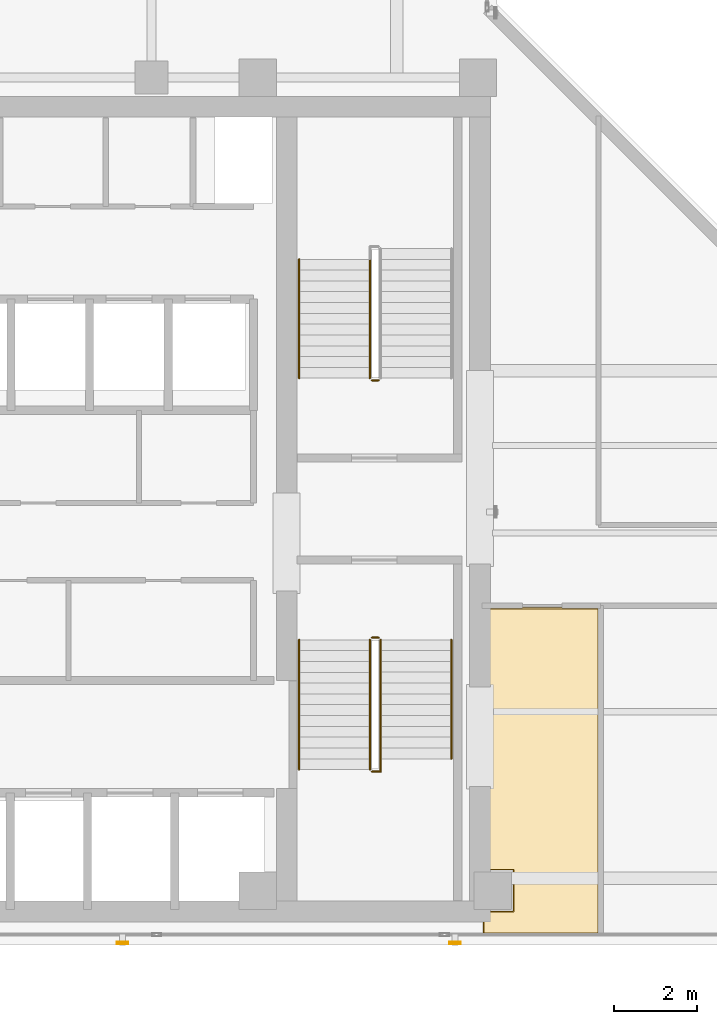
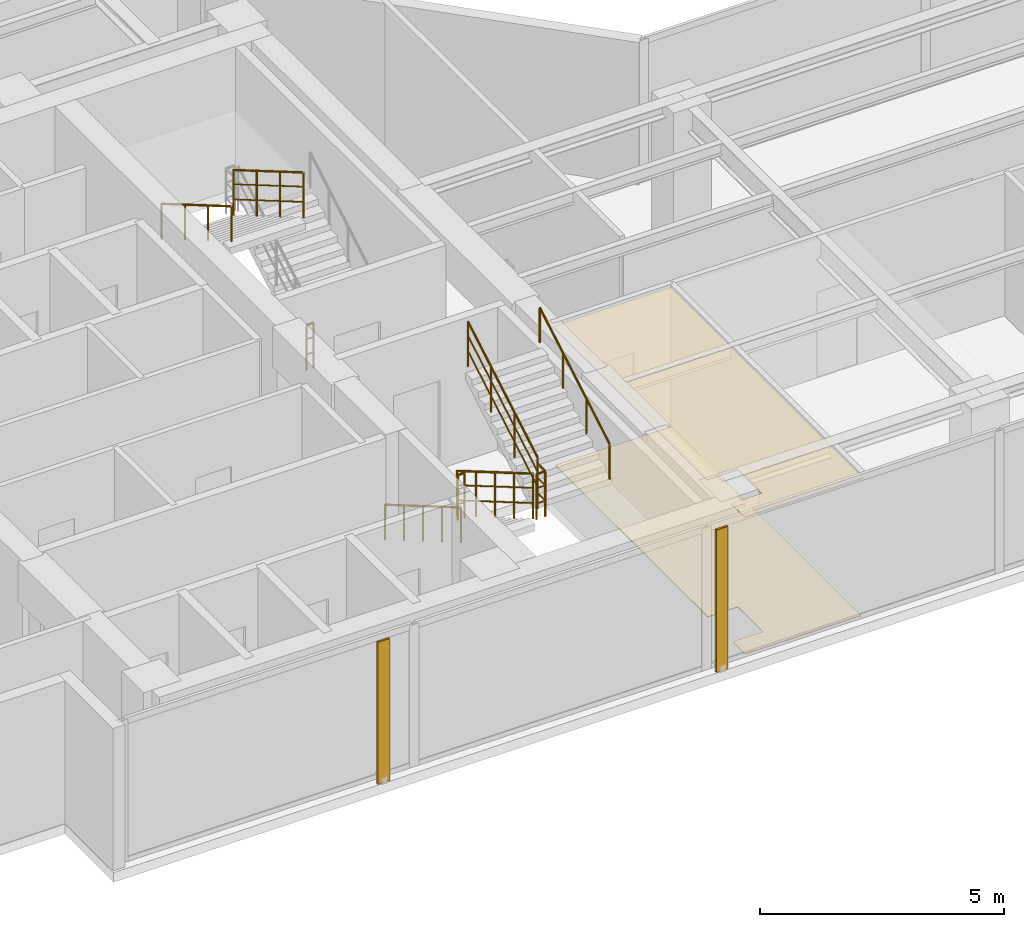
# One storey, part 20 of 24: 9 railings, 2 coverings, 2 shading devices.
"""IFC4 building model written with IfcOpenShell, lengths in metres."""

from ifc_helpers import new_model, si_unit, direction, frame, origin, origin_2d, place, context, subcontext, project, spatial, polyline, hollow_rectangle, circle, outline, extrude, material, layer, layer_set, material_profile, profile_set, type_object, element, save


model = new_model("IFC4")

# Units and contexts
model_context = context("Model", 3, precision=1e-05, world=origin(), true_north=direction((0.0, 1.0)))
body_context = subcontext(model_context, "Body", "Model", "MODEL_VIEW")
ifc_project = project(units=[si_unit("LENGTHUNIT", "METRE"), si_unit("AREAUNIT", "SQUARE_METRE"), si_unit("VOLUMEUNIT", "CUBIC_METRE"), si_unit("PLANEANGLEUNIT", "RADIAN"), si_unit("MASSUNIT", "GRAM", prefix="KILO")], contexts=[model_context])

# Site, building, storey
site_placement = place(None, origin())
site = spatial("IfcSite", under=ifc_project, at=site_placement, CompositionType="ELEMENT")
building_placement = place(site_placement, origin())
building = spatial("IfcBuilding", under=site, at=building_placement, Name="Kolvaren Waterfront Exchange", CompositionType="ELEMENT")
storey_placement = place(building_placement, frame((0.0, 0.0, 331.199951171875)))
storey = spatial("IfcBuildingStorey", under=building, at=storey_placement, Name="L85", CompositionType="ELEMENT", Elevation=331.199951171875)

# Covering
ifc_material_1 = material(Name="Mineral fibre acoustic ceiling tile")
ifc_layer_1 = layer(ifc_material_1, 0.02490234375, Name="Mineral fibre acoustic ceiling tile")
ifc_layer_set_1 = layer_set([ifc_layer_1], Name="Mineral fibre acoustic ceiling tile")
covering_type_1 = type_object("IfcCoveringType", Name="ARC-CEIL-ACOUSTIC-25", PredefinedType="CEILING", material=ifc_layer_set_1)
covering_1_placement = place(storey_placement, frame((0.0, 0.0, 3.445068359375)))
element("IfcCovering", 1, at=covering_1_placement, inside=storey, type_object=covering_type_1, Name="L85 acoustic suspended ceiling 2", PredefinedType="CEILING", context=body_context, shape_type="SweptSolid", body=[
    extrude(outline(polyline([(20.864990234375, 5.389892578125), (21.590087890625, 5.389892578125), (21.590087890625, 4.409912109375), (20.864990234375, 4.409912109375), (20.864990234375, 3.844970703125), (23.675048828125, 3.844970703125), (23.675048828125, 11.705078125), (20.864990234375, 11.705078125), (20.864990234375, 5.389892578125)])), origin(), (0.0, 0.0, 1.0), 0.02490234375),
])

# Shading devices
ifc_material_2 = material(Name="Anodised bronze aluminium 6063-T6", Category="aluminium")
ifc_material_profile = material_profile(ifc_material_2, hollow_rectangle(XDim=0.054931640625, YDim=0.280029296875, WallThickness=0.00439453125, at=origin_2d()), Name="BRZ-FIN-280x55x4.5")
ifc_profile_set = profile_set([ifc_material_profile], Name="Anodised bronze aluminium 6063-T6")
shading_device_type = type_object("IfcShadingDeviceType", Name="ARC-FIN-280", PredefinedType="USERDEFINED", material=ifc_profile_set)
for number, where, z_axis, x_axis, name in (
    (2, (12.199951171875, 3.639892578125, 0.0), (0.0, 0.0, 1.0), (0.0, -1.0, 0.0), "L85 anodised bronze solar shading fin FIN-L85-S1"),
    (3, (20.199951171875, 3.639892578125, 0.0), (0.0, 0.0, 1.0), (0.0, -1.0, 0.0), "L85 anodised bronze solar shading fin FIN-L85-S2"),
):
    element("IfcShadingDevice", number, at=place(storey_placement, frame(where, z_axis=z_axis, x_axis=x_axis)), inside=storey, type_object=shading_device_type, Name=name, ObjectType="SOLAR FIN", PredefinedType="USERDEFINED", context=body_context, shape_type="SweptSolid", body=[
        extrude(hollow_rectangle(XDim=0.054931640625, YDim=0.280029296875, WallThickness=0.00439453125, at=origin_2d()), origin(), (0.0, 0.0, 1.0), 3.56005859375),
    ])

# Covering
ifc_material_3 = material(Name="Slip-resistant porcelain tile")
ifc_layer_2 = layer(ifc_material_3, 0.014892578125, Name="Slip-resistant porcelain tile")
ifc_layer_set_2 = layer_set([ifc_layer_2], Name="Slip-resistant porcelain tile")
covering_type_2 = type_object("IfcCoveringType", Name="ARC-FLR-PORC-15", PredefinedType="FLOORING", material=ifc_layer_set_2)
covering_2_placement = place(storey_placement, origin())
element("IfcCovering", 4, at=covering_2_placement, inside=storey, type_object=covering_type_2, Name="L85 floor finish 2", PredefinedType="FLOORING", context=body_context, shape_type="SweptSolid", body=[
    extrude(outline(polyline([(20.89990234375, 4.389892578125), (20.89990234375, 3.8798828125), (23.639892578125, 3.8798828125), (23.639892578125, 11.669921875), (20.89990234375, 11.669921875), (20.89990234375, 5.409912109375), (21.610107421875, 5.409912109375), (21.610107421875, 4.389892578125), (20.89990234375, 4.389892578125)])), origin(), (0.0, 0.0, 1.0), 0.01513671875),
])

# Railings
ifc_material_4 = material(Name="Stainless steel 316", Category="steel")
railing_type_1 = type_object("IfcRailingType", Name="ARC-GUARD-STAIR", PredefinedType="GUARDRAIL", material=ifc_material_4)
railing_1_placement = place(storey_placement, frame((18.14990234375, 10.929931640625, 0.152099609375)))
element("IfcRailing", 5, at=railing_1_placement, inside=storey, type_object=railing_type_1, Name="L85 ST1 stair guard 1", PredefinedType="GUARDRAIL", context=body_context, shape_type="SweptSolid", body=[
    extrude(circle(Radius=0.02392578125, at=origin_2d()), frame((0.0, 0.0, 1.1259765625), z_axis=(0.0, -0.86329090724, 0.504706656858), x_axis=(1.0, 0.0, 0.0)), (0.0, 0.0, 1.0), 3.614013671875),
    extrude(circle(Radius=0.01611328125, at=origin_2d()), frame((0.0, 0.0, 0.390869140625), z_axis=(0.0, -0.86329090724, 0.504706656858), x_axis=(1.0, 0.0, 0.0)), (0.0, 0.0, 1.0), 3.614013671875),
    extrude(circle(Radius=0.01611328125, at=origin_2d()), frame((0.0, 0.0, 0.7705078125), z_axis=(0.0, -0.86329090724, 0.504706656858), x_axis=(1.0, 0.0, 0.0)), (0.0, 0.0, 1.0), 3.614013671875),
    extrude(circle(Radius=0.02099609375, at=origin_2d()), origin(), (0.0, 0.0, 1.0), 1.101806640625),
    extrude(circle(Radius=0.02099609375, at=origin_2d()), frame((0.0, -0.780029296875, 0.4560546875)), (0.0, 0.0, 1.0), 1.101806640625),
    extrude(circle(Radius=0.02099609375, at=origin_2d()), frame((0.0, -1.56005859375, 0.912109375)), (0.0, 0.0, 1.0), 1.101806640625),
    extrude(circle(Radius=0.02099609375, at=origin_2d()), frame((0.0, -2.33984375, 1.367919921875)), (0.0, 0.0, 1.0), 1.101806640625),
    extrude(circle(Radius=0.02099609375, at=origin_2d()), frame((0.0, -3.119873046875, 1.823974609375)), (0.0, 0.0, 1.0), 1.101806640625),
])
railing_2_placement = place(storey_placement, frame((18.199951171875, 7.760009765625, 1.97607421875)))
element("IfcRailing", 6, at=railing_2_placement, inside=storey, type_object=railing_type_1, Name="L85 ST1 stair guard 2", PredefinedType="GUARDRAIL", context=body_context, shape_type="SweptSolid", body=[
    extrude(circle(Radius=0.02392578125, at=origin_2d()), frame((0.0, 0.0, 1.1259765625), z_axis=(1.0, 0.0, 0.0), x_axis=(0.0, 1.0, 0.0)), (0.0, 0.0, 1.0), 0.2099609375),
    extrude(circle(Radius=0.01611328125, at=origin_2d()), frame((0.0, 0.0, 0.390869140625), z_axis=(1.0, 0.0, 0.0), x_axis=(0.0, 1.0, 0.0)), (0.0, 0.0, 1.0), 0.2099609375),
    extrude(circle(Radius=0.01611328125, at=origin_2d()), frame((0.0, 0.0, 0.7705078125), z_axis=(1.0, 0.0, 0.0), x_axis=(0.0, 1.0, 0.0)), (0.0, 0.0, 1.0), 0.2099609375),
    extrude(circle(Radius=0.02392578125, at=origin_2d()), frame((0.2099609375, 0.0, 1.1259765625), z_axis=(0.0, 1.0, 0.0), x_axis=(-1.0, 0.0, 0.0)), (0.0, 0.0, 1.0), 0.31005859375),
    extrude(circle(Radius=0.01611328125, at=origin_2d()), frame((0.2099609375, 0.0, 0.390869140625), z_axis=(0.0, 1.0, 0.0), x_axis=(-1.0, 0.0, 0.0)), (0.0, 0.0, 1.0), 0.31005859375),
    extrude(circle(Radius=0.01611328125, at=origin_2d()), frame((0.2099609375, 0.0, 0.7705078125), z_axis=(0.0, 1.0, 0.0), x_axis=(-1.0, 0.0, 0.0)), (0.0, 0.0, 1.0), 0.31005859375),
    extrude(circle(Radius=0.02099609375, at=origin_2d()), origin(), (0.0, 0.0, 1.0), 1.101806640625),
    extrude(circle(Radius=0.02099609375, at=origin_2d()), frame((0.2099609375, 0.0, 0.0)), (0.0, 0.0, 1.0), 1.101806640625),
    extrude(circle(Radius=0.02099609375, at=origin_2d()), frame((0.2099609375, 0.31005859375, 0.0)), (0.0, 0.0, 1.0), 1.101806640625),
])
railing_3_placement = place(storey_placement, frame((18.409912109375, 8.070068359375, 2.1279296875)))
element("IfcRailing", 7, at=railing_3_placement, inside=storey, type_object=railing_type_1, Name="L85 ST1 stair guard 3", PredefinedType="GUARDRAIL", context=body_context, shape_type="SweptSolid", body=[
    extrude(circle(Radius=0.02392578125, at=origin_2d()), frame((0.0, 0.0, 1.1259765625), z_axis=(0.0, 0.863270611444, 0.50474137082), x_axis=(-1.0, 0.0, 0.0)), (0.0, 0.0, 1.0), 3.312744140625),
    extrude(circle(Radius=0.01611328125, at=origin_2d()), frame((0.0, 0.0, 0.390869140625), z_axis=(0.0, 0.863270611444, 0.50474137082), x_axis=(-1.0, 0.0, 0.0)), (0.0, 0.0, 1.0), 3.312744140625),
    extrude(circle(Radius=0.01611328125, at=origin_2d()), frame((0.0, 0.0, 0.7705078125), z_axis=(0.0, 0.863270611444, 0.50474137082), x_axis=(-1.0, 0.0, 0.0)), (0.0, 0.0, 1.0), 3.312744140625),
    extrude(circle(Radius=0.02099609375, at=origin_2d()), origin(), (0.0, 0.0, 1.0), 1.101806640625),
    extrude(circle(Radius=0.02099609375, at=origin_2d()), frame((0.0, 0.953369140625, 0.557373046875)), (0.0, 0.0, 1.0), 1.101806640625),
    extrude(circle(Radius=0.02099609375, at=origin_2d()), frame((0.0, 1.906494140625, 1.11474609375)), (0.0, 0.0, 1.0), 1.101806640625),
    extrude(circle(Radius=0.02099609375, at=origin_2d()), frame((0.0, 2.85986328125, 1.672119140625)), (0.0, 0.0, 1.0), 1.101806640625),
])
railing_4_placement = place(storey_placement, frame((18.199951171875, 10.97998046875, 0.0)))
element("IfcRailing", 8, at=railing_4_placement, inside=storey, type_object=railing_type_1, Name="L85 ST1 stair guard 4", PredefinedType="GUARDRAIL", context=body_context, shape_type="SweptSolid", body=[
    extrude(circle(Radius=0.02392578125, at=origin_2d()), frame((0.0, 0.0, 1.1259765625), z_axis=(1.0, 0.0, 0.0), x_axis=(0.0, 1.0, 0.0)), (0.0, 0.0, 1.0), 0.16015625),
    extrude(circle(Radius=0.01611328125, at=origin_2d()), frame((0.0, 0.0, 0.390869140625), z_axis=(1.0, 0.0, 0.0), x_axis=(0.0, 1.0, 0.0)), (0.0, 0.0, 1.0), 0.16015625),
    extrude(circle(Radius=0.01611328125, at=origin_2d()), frame((0.0, 0.0, 0.7705078125), z_axis=(1.0, 0.0, 0.0), x_axis=(0.0, 1.0, 0.0)), (0.0, 0.0, 1.0), 0.16015625),
    extrude(circle(Radius=0.02099609375, at=origin_2d()), origin(), (0.0, 0.0, 1.0), 1.101806640625),
    extrude(circle(Radius=0.02099609375, at=origin_2d()), frame((0.16015625, 0.0, 0.0)), (0.0, 0.0, 1.0), 1.101806640625),
])
railing_5_placement = place(storey_placement, frame((18.14990234375, 20.080078125, 2.1279296875)))
element("IfcRailing", 9, at=railing_5_placement, inside=storey, type_object=railing_type_1, Name="L85 ST2 stair guard 3", PredefinedType="GUARDRAIL", context=body_context, shape_type="SweptSolid", body=[
    extrude(circle(Radius=0.02392578125, at=origin_2d()), frame((0.0, 0.0, 1.1259765625), z_axis=(0.0, -0.863289384635, 0.504709261235), x_axis=(1.0, 0.0, 0.0)), (0.0, 0.0, 1.0), 3.31298828125),
    extrude(circle(Radius=0.01611328125, at=origin_2d()), frame((0.0, 0.0, 0.390869140625), z_axis=(0.0, -0.863289384635, 0.504709261235), x_axis=(1.0, 0.0, 0.0)), (0.0, 0.0, 1.0), 3.31298828125),
    extrude(circle(Radius=0.01611328125, at=origin_2d()), frame((0.0, 0.0, 0.7705078125), z_axis=(0.0, -0.863289384635, 0.504709261235), x_axis=(1.0, 0.0, 0.0)), (0.0, 0.0, 1.0), 3.31298828125),
    extrude(circle(Radius=0.02099609375, at=origin_2d()), origin(), (0.0, 0.0, 1.0), 1.101806640625),
    extrude(circle(Radius=0.02099609375, at=origin_2d()), frame((0.0, -0.953369140625, 0.557373046875)), (0.0, 0.0, 1.0), 1.101806640625),
    extrude(circle(Radius=0.02099609375, at=origin_2d()), frame((0.0, -1.90673828125, 1.11474609375)), (0.0, 0.0, 1.0), 1.101806640625),
    extrude(circle(Radius=0.02099609375, at=origin_2d()), frame((0.0, -2.860107421875, 1.672119140625)), (0.0, 0.0, 1.0), 1.101806640625),
])
railing_6_placement = place(storey_placement, frame((18.360107421875, 17.169921875, 0.0)))
element("IfcRailing", 10, at=railing_6_placement, inside=storey, type_object=railing_type_1, Name="L85 ST2 stair guard 4", PredefinedType="GUARDRAIL", context=body_context, shape_type="SweptSolid", body=[
    extrude(circle(Radius=0.02392578125, at=origin_2d()), frame((0.0, 0.0, 1.1259765625), z_axis=(-1.0, 0.0, 0.0), x_axis=(0.0, -1.0, 0.0)), (0.0, 0.0, 1.0), 0.16015625),
    extrude(circle(Radius=0.01611328125, at=origin_2d()), frame((0.0, 0.0, 0.390869140625), z_axis=(-1.0, 0.0, 0.0), x_axis=(0.0, -1.0, 0.0)), (0.0, 0.0, 1.0), 0.16015625),
    extrude(circle(Radius=0.01611328125, at=origin_2d()), frame((0.0, 0.0, 0.7705078125), z_axis=(-1.0, 0.0, 0.0), x_axis=(0.0, -1.0, 0.0)), (0.0, 0.0, 1.0), 0.16015625),
    extrude(circle(Radius=0.02099609375, at=origin_2d()), origin(), (0.0, 0.0, 1.0), 1.101806640625),
    extrude(circle(Radius=0.02099609375, at=origin_2d()), frame((-0.16015625, 0.0, 0.0)), (0.0, 0.0, 1.0), 1.101806640625),
])
railing_type_2 = type_object("IfcRailingType", Name="ARC-HANDRAIL-900", PredefinedType="HANDRAIL", material=ifc_material_4)
railing_7_placement = place(storey_placement, frame((16.449951171875, 10.929931640625, 0.152099609375)))
element("IfcRailing", 11, at=railing_7_placement, inside=storey, type_object=railing_type_2, Name="L85 ST1 stair handrail 1", PredefinedType="HANDRAIL", context=body_context, shape_type="SweptSolid", body=[
    extrude(circle(Radius=0.02392578125, at=origin_2d()), frame((0.0, 0.0, 0.8759765625), z_axis=(0.0, -0.86329090724, 0.504706656858), x_axis=(1.0, 0.0, 0.0)), (0.0, 0.0, 1.0), 3.614013671875),
    extrude(circle(Radius=0.02099609375, at=origin_2d()), origin(), (0.0, 0.0, 1.0), 0.851806640625),
    extrude(circle(Radius=0.02099609375, at=origin_2d()), frame((0.0, -0.780029296875, 0.4560546875)), (0.0, 0.0, 1.0), 0.851806640625),
    extrude(circle(Radius=0.02099609375, at=origin_2d()), frame((0.0, -1.56005859375, 0.912109375)), (0.0, 0.0, 1.0), 0.851806640625),
    extrude(circle(Radius=0.02099609375, at=origin_2d()), frame((0.0, -2.33984375, 1.367919921875)), (0.0, 0.0, 1.0), 0.851806640625),
    extrude(circle(Radius=0.02099609375, at=origin_2d()), frame((0.0, -3.119873046875, 1.823974609375)), (0.0, 0.0, 1.0), 0.851806640625),
])
railing_8_placement = place(storey_placement, frame((20.110107421875, 8.070068359375, 2.1279296875)))
element("IfcRailing", 12, at=railing_8_placement, inside=storey, type_object=railing_type_2, Name="L85 ST1 stair handrail 2", PredefinedType="HANDRAIL", context=body_context, shape_type="SweptSolid", body=[
    extrude(circle(Radius=0.02392578125, at=origin_2d()), frame((0.0, 0.0, 0.8759765625), z_axis=(0.0, 0.863270611444, 0.50474137082), x_axis=(-1.0, 0.0, 0.0)), (0.0, 0.0, 1.0), 3.312744140625),
    extrude(circle(Radius=0.02099609375, at=origin_2d()), origin(), (0.0, 0.0, 1.0), 0.851806640625),
    extrude(circle(Radius=0.02099609375, at=origin_2d()), frame((0.0, 0.953369140625, 0.557373046875)), (0.0, 0.0, 1.0), 0.851806640625),
    extrude(circle(Radius=0.02099609375, at=origin_2d()), frame((0.0, 1.906494140625, 1.11474609375)), (0.0, 0.0, 1.0), 0.851806640625),
    extrude(circle(Radius=0.02099609375, at=origin_2d()), frame((0.0, 2.85986328125, 1.672119140625)), (0.0, 0.0, 1.0), 0.851806640625),
])
railing_9_placement = place(storey_placement, frame((16.449951171875, 20.080078125, 2.1279296875)))
element("IfcRailing", 13, at=railing_9_placement, inside=storey, type_object=railing_type_2, Name="L85 ST2 stair handrail 2", PredefinedType="HANDRAIL", context=body_context, shape_type="SweptSolid", body=[
    extrude(circle(Radius=0.02392578125, at=origin_2d()), frame((0.0, 0.0, 0.8759765625), z_axis=(0.0, -0.863289384635, 0.504709261235), x_axis=(1.0, 0.0, 0.0)), (0.0, 0.0, 1.0), 3.31298828125),
    extrude(circle(Radius=0.02099609375, at=origin_2d()), origin(), (0.0, 0.0, 1.0), 0.851806640625),
    extrude(circle(Radius=0.02099609375, at=origin_2d()), frame((0.0, -0.953369140625, 0.557373046875)), (0.0, 0.0, 1.0), 0.851806640625),
    extrude(circle(Radius=0.02099609375, at=origin_2d()), frame((0.0, -1.90673828125, 1.11474609375)), (0.0, 0.0, 1.0), 0.851806640625),
    extrude(circle(Radius=0.02099609375, at=origin_2d()), frame((0.0, -2.860107421875, 1.672119140625)), (0.0, 0.0, 1.0), 0.851806640625),
])

save(model, "model.ifc")
